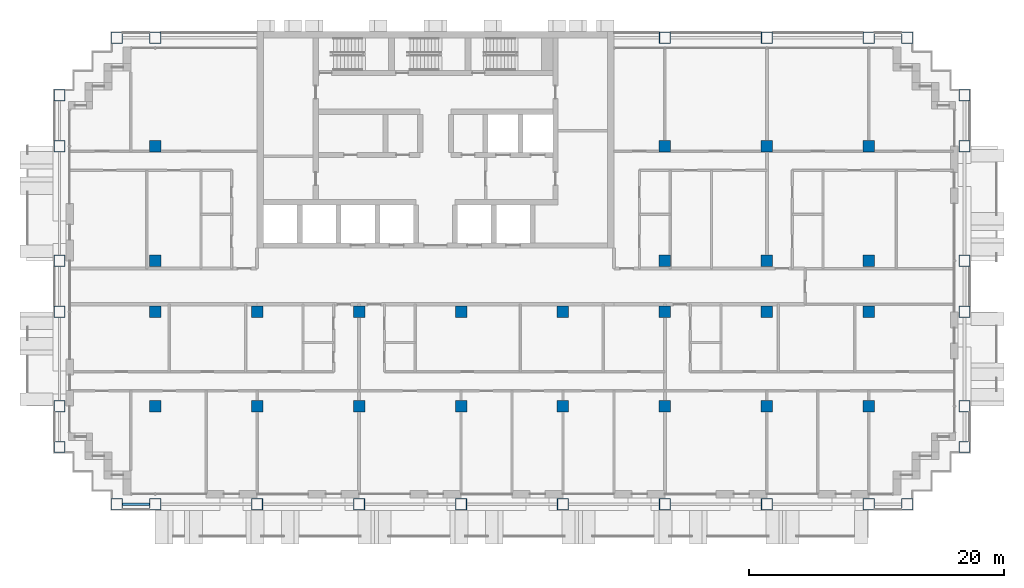
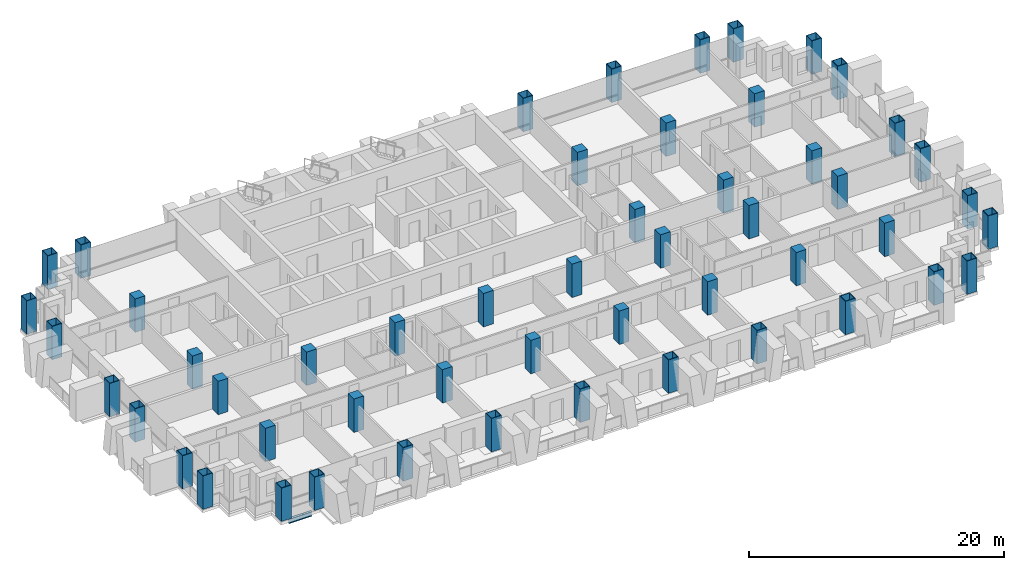
# One storey, part 1 of 17: 52 columns, 1 beam.
"""IFC4 building model written with IfcOpenShell, lengths in metres."""

from ifc_helpers import new_model, si_unit, direction, frame, origin, origin_2d, place, context, subcontext, project, spatial, rectangle, hollow_rectangle, i_section, extrude, material, material_profile, profile_set, type_object, element, save


model = new_model("IFC4")

# Units and contexts
model_context = context("Model", 3, precision=1e-05, world=origin(), true_north=direction((0.0, 1.0)))
body_context = subcontext(model_context, "Body", "Model", "MODEL_VIEW")
ifc_project = project(units=[si_unit("LENGTHUNIT", "METRE"), si_unit("AREAUNIT", "SQUARE_METRE"), si_unit("VOLUMEUNIT", "CUBIC_METRE"), si_unit("PLANEANGLEUNIT", "RADIAN"), si_unit("MASSUNIT", "GRAM", prefix="KILO")], contexts=[model_context])

# Site, building, storey
site_placement = place(None, origin())
site = spatial("IfcSite", under=ifc_project, at=site_placement, CompositionType="ELEMENT")
building_placement = place(site_placement, origin())
building = spatial("IfcBuilding", under=site, at=building_placement, Name="Vidyagriha Tower", CompositionType="ELEMENT")
storey_placement = place(building_placement, frame((0.0, 0.0, 96.699951171875)))
storey = spatial("IfcBuildingStorey", under=building, at=storey_placement, Name="L25", CompositionType="ELEMENT", Elevation=96.699951171875)

# Columns
ifc_material_1 = material(Name="Steel ASTM A572 Grade 50", Category="steel")
ifc_material_profile_1 = material_profile(ifc_material_1, hollow_rectangle(XDim=0.89990234375, YDim=0.89990234375, WallThickness=0.044921875, at=origin_2d()), Name="BOX 900x900x45")
ifc_profile_set_1 = profile_set([ifc_material_profile_1], Name="Steel ASTM A572 Grade 50")
column_type_1 = type_object("IfcColumnType", Name="Exoskeleton column BOX 900x900x45", PredefinedType="COLUMN", material=ifc_profile_set_1)
for number, where, name in (
    (1, (-25.0, -17.10009765625, 0.0), "st-col-L25-B2-001"),
    (2, (-22.0, -17.10009765625, 0.0), "st-col-L25-B2-002"),
    (3, (-14.0, -17.10009765625, 0.0), "st-col-L25-B2-003"),
    (4, (-6.0, -17.10009765625, 0.0), "st-col-L25-B2-004"),
    (5, (2.0, -17.10009765625, 0.0), "st-col-L25-B2-005"),
    (6, (10.0, -17.10009765625, 0.0), "st-col-L25-B2-006"),
    (7, (18.0, -17.10009765625, 0.0), "st-col-L25-B2-007"),
    (8, (26.0, -17.10009765625, 0.0), "st-col-L25-B2-008"),
    (9, (34.0, -17.10009765625, 0.0), "st-col-L25-B2-009"),
    (10, (37.0, -17.10009765625, 0.0), "st-col-L25-B2-010"),
    (11, (-29.5, -12.60009765625, 0.0), "st-col-L25-B2-011"),
    (12, (41.5, -12.60009765625, 0.0), "st-col-L25-B2-012"),
    (13, (-29.5, -9.39990234375, 0.0), "st-col-L25-B2-013"),
    (14, (41.5, -9.39990234375, 0.0), "st-col-L25-B2-022"),
    (15, (-29.5, -2.0, 0.0), "st-col-L25-B2-023"),
    (16, (41.5, -2.0, 0.0), "st-col-L25-B2-032"),
    (17, (-29.5, 2.0, 0.0), "st-col-L25-B2-033"),
    (18, (41.5, 2.0, 0.0), "st-col-L25-B2-038"),
    (19, (-29.5, 11.0, 0.0), "st-col-L25-B2-039"),
    (20, (41.5, 11.0, 0.0), "st-col-L25-B2-044"),
    (21, (-29.5, 15.0, 0.0), "st-col-L25-B2-045"),
    (22, (41.5, 15.0, 0.0), "st-col-L25-B2-046"),
    (23, (-25.0, 19.5, 0.0), "st-col-L25-B2-047"),
    (24, (-22.0, 19.5, 0.0), "st-col-L25-B2-048"),
    (25, (18.0, 19.5, 0.0), "st-col-L25-B2-049"),
    (26, (26.0, 19.5, 0.0), "st-col-L25-B2-050"),
    (27, (34.0, 19.5, 0.0), "st-col-L25-B2-051"),
    (28, (37.0, 19.5, 0.0), "st-col-L25-B2-052"),
):
    element("IfcColumn", number, at=place(storey_placement, frame(where)), inside=storey, type_object=column_type_1, Name=name, PredefinedType="COLUMN", context=body_context, shape_type="SweptSolid", body=[
        extrude(hollow_rectangle(XDim=0.89990234375, YDim=0.89990234375, WallThickness=0.044921875, at=origin_2d()), origin(), (0.0, 0.0, 1.0), 3.199951171875),
    ])
ifc_material_2 = material(Name="Concrete C80/95", Category="concrete")
ifc_material_profile_2 = material_profile(ifc_material_2, rectangle(XDim=0.89990234375, YDim=0.89990234375, at=origin_2d()), Name="RC 900x900")
ifc_profile_set_2 = profile_set([ifc_material_profile_2], Name="Concrete C80/95")
column_type_2 = type_object("IfcColumnType", Name="Frame column RC 900x900", PredefinedType="COLUMN", material=ifc_profile_set_2)
for number, where, name in (
    (29, (-22.0, -9.39990234375, 0.0), "st-col-L25-B2-014"),
    (30, (-14.0, -9.39990234375, 0.0), "st-col-L25-B2-015"),
    (31, (-6.0, -9.39990234375, 0.0), "st-col-L25-B2-016"),
    (32, (2.0, -9.39990234375, 0.0), "st-col-L25-B2-017"),
    (33, (10.0, -9.39990234375, 0.0), "st-col-L25-B2-018"),
    (34, (18.0, -9.39990234375, 0.0), "st-col-L25-B2-019"),
    (35, (26.0, -9.39990234375, 0.0), "st-col-L25-B2-020"),
    (36, (34.0, -9.39990234375, 0.0), "st-col-L25-B2-021"),
    (37, (-22.0, -2.0, 0.0), "st-col-L25-B2-024"),
    (38, (-14.0, -2.0, 0.0), "st-col-L25-B2-025"),
    (39, (-6.0, -2.0, 0.0), "st-col-L25-B2-026"),
    (40, (2.0, -2.0, 0.0), "st-col-L25-B2-027"),
    (41, (10.0, -2.0, 0.0), "st-col-L25-B2-028"),
    (42, (18.0, -2.0, 0.0), "st-col-L25-B2-029"),
    (43, (26.0, -2.0, 0.0), "st-col-L25-B2-030"),
    (44, (34.0, -2.0, 0.0), "st-col-L25-B2-031"),
    (45, (-22.0, 2.0, 0.0), "st-col-L25-B2-034"),
    (46, (18.0, 2.0, 0.0), "st-col-L25-B2-035"),
    (47, (26.0, 2.0, 0.0), "st-col-L25-B2-036"),
    (48, (34.0, 2.0, 0.0), "st-col-L25-B2-037"),
    (49, (-22.0, 11.0, 0.0), "st-col-L25-B2-040"),
    (50, (18.0, 11.0, 0.0), "st-col-L25-B2-041"),
    (51, (26.0, 11.0, 0.0), "st-col-L25-B2-042"),
    (52, (34.0, 11.0, 0.0), "st-col-L25-B2-043"),
):
    element("IfcColumn", number, at=place(storey_placement, frame(where)), inside=storey, type_object=column_type_2, Name=name, PredefinedType="COLUMN", context=body_context, shape_type="SweptSolid", body=[
        extrude(rectangle(XDim=0.89990234375, YDim=0.89990234375, at=origin_2d()), origin(), (0.0, 0.0, 1.0), 3.199951171875),
    ])

# Beam
ifc_material_3 = material(Name="Steel ASTM A992 Grade 50", Category="steel")
ifc_material_profile_3 = material_profile(ifc_material_3, i_section(OverallWidth=0.19189453125, OverallDepth=0.46240234375, WebThickness=0.010498046875, FlangeThickness=0.017578125, at=origin_2d()), Name="W18X60")
ifc_profile_set_3 = profile_set([ifc_material_profile_3], Name="Steel ASTM A992 Grade 50")
beam_type = type_object("IfcBeamType", Name="Edge beam W18X60", PredefinedType="SPANDREL", material=ifc_profile_set_3)
beam_placement = place(storey_placement, frame((-24.550048828125, -17.10009765625, -0.510986328125), z_axis=(1.0, 0.0, 0.0), x_axis=(0.0, 1.0, 0.0)))
element("IfcBeam", 53, at=beam_placement, inside=storey, type_object=beam_type, Name="st-beam-L25-S01", PredefinedType="SPANDREL", context=body_context, shape_type="SweptSolid", body=[
    extrude(i_section(OverallWidth=0.19189453125, OverallDepth=0.46240234375, WebThickness=0.010498046875, FlangeThickness=0.017578125, at=origin_2d()), origin(), (0.0, 0.0, 1.0), 2.10009765625),
])

save(model, "model.ifc")
